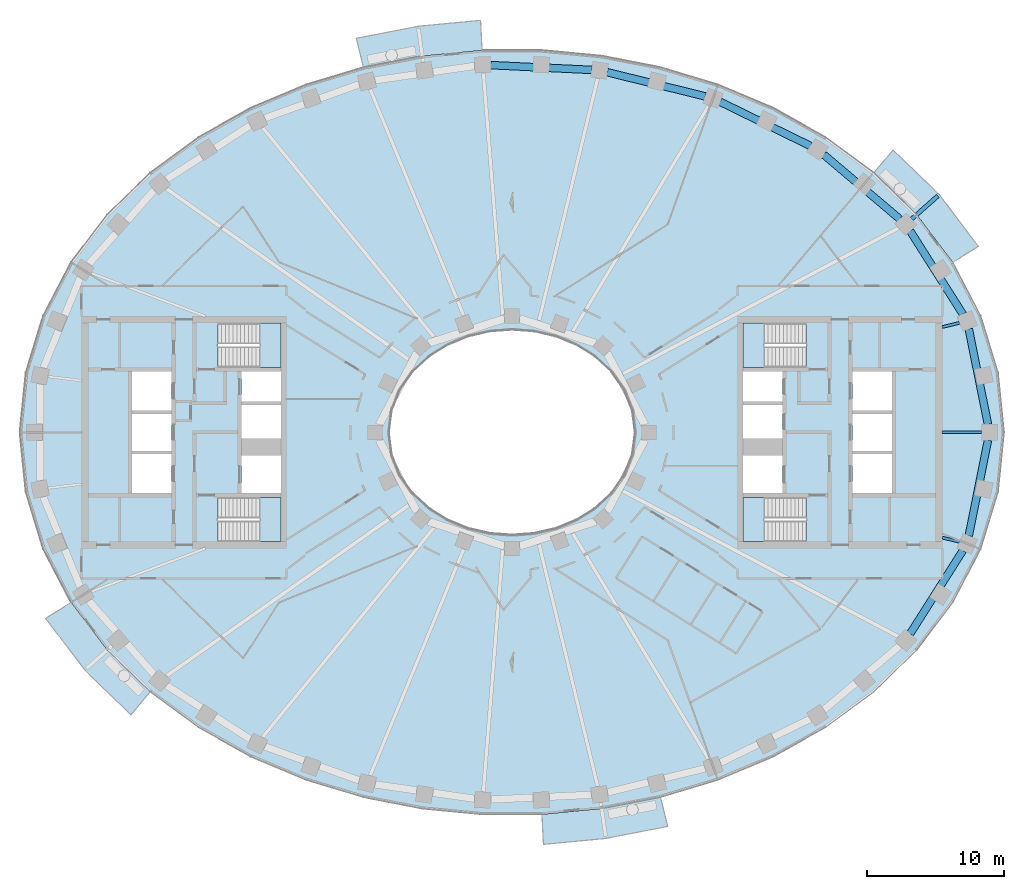
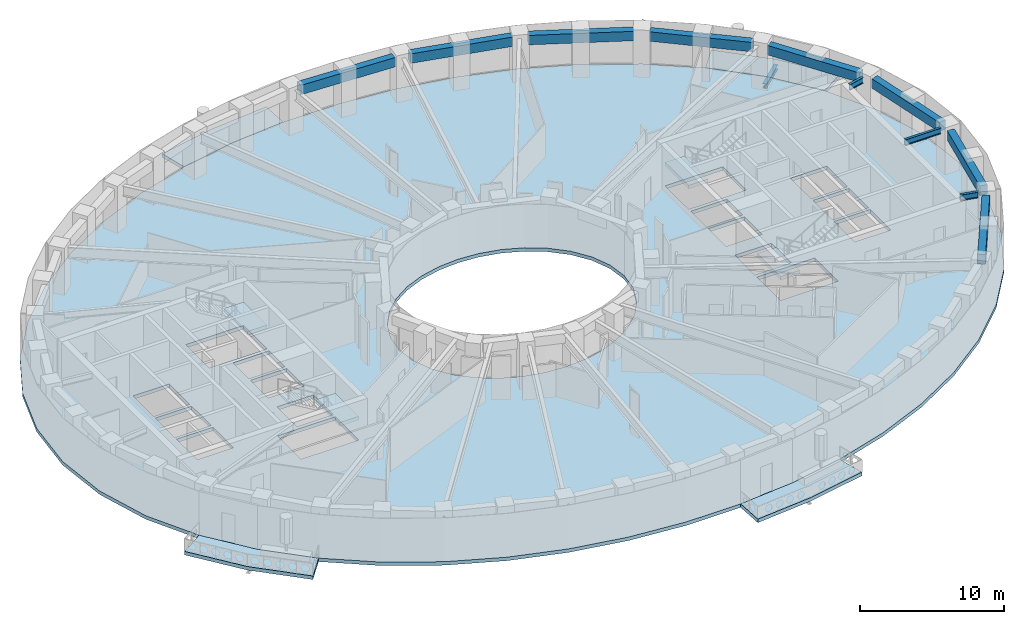
# One storey, part 2 of 16: 12 beams, 9 slabs, 4 elements without a shape of their own.
"""IFC4 building model written with IfcOpenShell, lengths in metres."""

import ifcopenshell
import ifcopenshell.guid

model = None  # the IFC model being written
_history = None  # IfcOwnerHistory: only IFC2X3 demands one
_inside = {}  # id of a spatial element -> (the spatial element, [elements in it])
_under = {}  # id of a project, library or spatial element -> (it, [spatial elements below it])
_declared = {}  # id of a project -> (the project, [libraries it declares])
_typed = {}  # id of a type object -> (the type object, [elements of that type])
_made_of = {}  # id of a material, layer set ... -> (it, [elements and type objects made of it])


def new_model(schema):
    """Start an empty IFC model of exactly this schema.

    Asked for "IFC4X3", IfcOpenShell would pick the latest addendum, in which some entities
    have other attributes; the version numbers below select the first issue.
    IFC2X3 requires an IfcOwnerHistory on every rooted entity: one is made here for all.
    """
    global model, _history
    if schema == "IFC4X3":
        model = ifcopenshell.file(schema_version=(4, 3, 0, 0))
    else:
        model = ifcopenshell.file(schema=schema)
    _inside.clear()
    _under.clear()
    _declared.clear()
    _typed.clear()
    _made_of.clear()
    _history = None
    if model.schema == "IFC2X3":
        org = make("IfcOrganization", Name="unknown")
        user = make(
            "IfcPersonAndOrganization",
            ThePerson=make("IfcPerson", FamilyName="unknown"),
            TheOrganization=org,
        )
        app = make(
            "IfcApplication",
            ApplicationDeveloper=org,
            Version="unknown",
            ApplicationFullName="unknown",
            ApplicationIdentifier="unknown",
        )
        _history = make(
            "IfcOwnerHistory",
            OwningUser=user,
            OwningApplication=app,
            ChangeAction="ADDED",
            CreationDate=0,
        )
    return model


def make(cls, **values):
    """One entity of the class cls with the attributes given. An attribute that is None is left unset."""
    return model.create_entity(
        cls, **{name: value for name, value in values.items() if value is not None}
    )


def rooted(cls, **values):
    """An entity with a GlobalId (a new one), such as an element, a storey or a relation."""
    return make(cls, GlobalId=ifcopenshell.guid.new(), OwnerHistory=_history, **values)


def si_unit(unit_type, name, prefix=None):
    """IfcSIUnit, for example si_unit("LENGTHUNIT", "METRE", prefix="MILLI")."""
    return make("IfcSIUnit", UnitType=unit_type, Prefix=prefix, Name=name)


def assignment(units):
    """IfcUnitAssignment: the units of a project."""
    return None if units is None else make("IfcUnitAssignment", Units=units)


def point(xyz):
    """IfcCartesianPoint."""
    return None if xyz is None else make("IfcCartesianPoint", Coordinates=xyz)


def direction(xyz):
    """IfcDirection."""
    return None if xyz is None else make("IfcDirection", DirectionRatios=xyz)


def frame(location, z_axis=None, x_axis=None):
    """IfcAxis2Placement3D, a coordinate frame: its origin and axes. An axis left out is left unset."""
    return make(
        "IfcAxis2Placement3D",
        Location=point(location),
        Axis=direction(z_axis),
        RefDirection=direction(x_axis),
    )


def frame_2d(location, x_axis=None):
    """IfcAxis2Placement2D, a coordinate frame in the plane: its origin and x axis."""
    return make(
        "IfcAxis2Placement2D", Location=point(location), RefDirection=direction(x_axis)
    )


def origin():
    """The frame at (0, 0, 0) with its axes left unset."""
    return frame((0.0, 0.0, 0.0))


def origin_2d():
    """The frame at (0, 0) in the plane with its x axis left unset."""
    return frame_2d((0.0, 0.0))


def place(relative_to, where):
    """IfcLocalPlacement: puts the frame where relative to a parent placement (None: the world)."""
    return make(
        "IfcLocalPlacement", PlacementRelTo=relative_to, RelativePlacement=where
    )


def context(
    kind, dimensions, precision=None, world=None, true_north=None, identifier=None
):
    """IfcGeometricRepresentationContext, for example the 3D "Model" context."""
    return make(
        "IfcGeometricRepresentationContext",
        ContextIdentifier=identifier,
        ContextType=kind,
        CoordinateSpaceDimension=dimensions,
        Precision=precision,
        WorldCoordinateSystem=world,
        TrueNorth=true_north,
    )


def subcontext(parent, identifier, kind, view, scale=None):
    """IfcGeometricRepresentationSubContext, for example "Body" below "Model"."""
    return make(
        "IfcGeometricRepresentationSubContext",
        ContextIdentifier=identifier,
        ContextType=kind,
        ParentContext=parent,
        TargetScale=scale,
        TargetView=view,
    )


def project(units=None, contexts=None):
    """IfcProject with its units and contexts."""
    return rooted(
        "IfcProject",
        Name="project",
        RepresentationContexts=contexts,
        UnitsInContext=assignment(units),
    )


def spatial(cls, under=None, at=None, **own):
    """A site, building, storey or space (cls), placed at a placement, below another one or the project."""
    s = rooted(cls, ObjectPlacement=at, **own)
    if under is not None:
        _under.setdefault(under.id(), (under, []))[1].append(s)
    return s


def polyline(points):
    """IfcPolyline through the points."""
    return make("IfcPolyline", Points=[point(p) for p in points])


def profile(cls, at=None, kind="AREA", **sizes):
    """A parametric profile (cls). Its sizes go by their IFC names, for example OverallWidth=200.0."""
    return make(cls, ProfileType=kind, Position=at, **sizes)


def rectangle(**sizes):
    """IfcRectangleProfileDef."""
    return profile("IfcRectangleProfileDef", **sizes)


def i_section(**sizes):
    """IfcIShapeProfileDef."""
    return profile("IfcIShapeProfileDef", **sizes)


def outline(outer, holes=None, kind="AREA"):
    """IfcArbitraryClosedProfileDef: a profile drawn as a closed curve; with holes, ...WithVoids."""
    if holes is None:
        return make("IfcArbitraryClosedProfileDef", ProfileType=kind, OuterCurve=outer)
    return make(
        "IfcArbitraryProfileDefWithVoids",
        ProfileType=kind,
        OuterCurve=outer,
        InnerCurves=holes,
    )


def extrude(swept, where, along, depth):
    """IfcExtrudedAreaSolid: the profile swept, set in the frame where, extruded along a direction by depth."""
    return make(
        "IfcExtrudedAreaSolid",
        SweptArea=swept,
        Position=where,
        ExtrudedDirection=direction(along),
        Depth=depth,
    )


def shape(context_of_items, identifier, shape_type, items):
    """IfcShapeRepresentation: the items that make up one representation, for example the "Body"."""
    return make(
        "IfcShapeRepresentation",
        ContextOfItems=context_of_items,
        RepresentationIdentifier=identifier,
        RepresentationType=shape_type,
        Items=items,
    )


def material(Name=None, Category=None):
    """IfcMaterial."""
    return make("IfcMaterial", Name=Name, Category=Category)


def layer(
    of_material, thickness, ventilated=None, Name=None, Category=None, Priority=None
):
    """IfcMaterialLayer: one layer of a wall or slab, of a material (None: an air gap)."""
    return make(
        "IfcMaterialLayer",
        Material=of_material,
        LayerThickness=thickness,
        IsVentilated=ventilated,
        Name=Name,
        Category=Category,
        Priority=Priority,
    )


def layer_set(layers, Name=None):
    """IfcMaterialLayerSet."""
    return make("IfcMaterialLayerSet", MaterialLayers=layers, LayerSetName=Name)


def material_profile(
    of_material, cross_section, Name=None, Category=None, Priority=None
):
    """IfcMaterialProfile: a cross section and its material."""
    return make(
        "IfcMaterialProfile",
        Name=Name,
        Material=of_material,
        Profile=cross_section,
        Priority=Priority,
        Category=Category,
    )


def profile_set(profiles, Name=None, composite=None):
    """IfcMaterialProfileSet."""
    return make(
        "IfcMaterialProfileSet",
        Name=Name,
        MaterialProfiles=profiles,
        CompositeProfile=composite,
    )


def made_of(thing, what):
    """Note that an element or type object is made of a material, layer set ...; save() writes the relation."""
    if what is not None:
        _made_of.setdefault(what.id(), (what, []))[1].append(thing)
    return thing


def type_object(cls, material=None, **own):
    """A type object (cls), such as IfcWallType, which elements share."""
    return made_of(rooted(cls, **own), material)


def element(
    cls,
    number,
    at=None,
    inside=None,
    cuts=None,
    type_object=None,
    material=None,
    context=None,
    identifier="Body",
    shape_type=None,
    held_by="IfcProductDefinitionShape",
    body=None,
    shapes=None,
    **own,
):
    """One element of the class cls, such as IfcWall. Its Tag is "e" and its number.

    at: its placement. inside: the storey or other place that contains it. cuts: it is an
    opening in that element (IfcRelVoidsElement). A single representation is given by context,
    identifier, shape_type and body (its items); several are given by shapes. held_by: the class
    of the entity that holds the representations. save() writes the other relations.
    """
    e = rooted(cls, Tag="e%d" % number, ObjectPlacement=at, **own)
    if body is not None:
        shapes = [shape(context, identifier, shape_type, body)]
    if shapes is not None:
        e.Representation = make(held_by, Representations=shapes)
    if inside is not None:
        _inside.setdefault(inside.id(), (inside, []))[1].append(e)
    if cuts is not None:
        rooted(
            "IfcRelVoidsElement", RelatingBuildingElement=cuts, RelatedOpeningElement=e
        )
    if type_object is not None:
        _typed.setdefault(type_object.id(), (type_object, []))[1].append(e)
    return made_of(e, material)


def aggregate(whole, parts):
    """IfcRelAggregates: a whole, such as a stair, and the parts it consists of."""
    return rooted("IfcRelAggregates", RelatingObject=whole, RelatedObjects=parts)


def save(model, path):
    """Write the relations noted so far, then the file.

    IfcRelAggregates (storeys below a building ...), IfcRelContainedInSpatialStructure (elements
    in a storey), IfcRelDefinesByType, IfcRelAssociatesMaterial and IfcRelDeclares: one each for
    every whole, place, type object, material and project.
    """
    for whole, parts in _under.values():
        aggregate(whole, parts)
    for where, things in _inside.values():
        rooted(
            "IfcRelContainedInSpatialStructure",
            RelatedElements=things,
            RelatingStructure=where,
        )
    for kind, things in _typed.values():
        rooted("IfcRelDefinesByType", RelatedObjects=things, RelatingType=kind)
    for what, things in _made_of.values():
        rooted("IfcRelAssociatesMaterial", RelatedObjects=things, RelatingMaterial=what)
    for by, libraries in _declared.values():
        rooted("IfcRelDeclares", RelatingContext=by, RelatedDefinitions=libraries)
    model.write(path)


model = new_model("IFC4")

# Units and contexts
model_context = context("Model", 3, precision=1e-05, world=origin(), true_north=direction((0.0, 1.0)))
body_context = subcontext(model_context, "Body", "Model", "MODEL_VIEW")
ifc_project = project(units=[si_unit("LENGTHUNIT", "METRE"), si_unit("AREAUNIT", "SQUARE_METRE"), si_unit("VOLUMEUNIT", "CUBIC_METRE"), si_unit("PLANEANGLEUNIT", "RADIAN"), si_unit("MASSUNIT", "GRAM", prefix="KILO")], contexts=[model_context])

# Site, building, storey
site_placement = place(None, origin())
site = spatial("IfcSite", under=ifc_project, at=site_placement, CompositionType="ELEMENT")
building_placement = place(site_placement, origin())
building = spatial("IfcBuilding", under=site, at=building_placement, Name="Noorbagh Ring Tower", CompositionType="ELEMENT")
storey_placement = place(building_placement, frame((0.0, 0.0, 162.0)))
storey = spatial("IfcBuildingStorey", under=building, at=storey_placement, Name="L37", CompositionType="ELEMENT", Elevation=162.0)

# Beams
ifc_material_1 = material(Name="Steel S355", Category="steel")
ifc_material_profile_1 = material_profile(ifc_material_1, i_section(OverallWidth=0.300048828125, OverallDepth=0.39990234375, WebThickness=0.013427734375, FlangeThickness=0.02392578125, FilletRadius=0.027099609375, at=origin_2d()), Name="HEB400")
ifc_profile_set_1 = profile_set([ifc_material_profile_1], Name="Steel S355")
beam_type_1 = type_object("IfcBeamType", Name="STR-BALCONY-BRACKET-HEB400", PredefinedType="BEAM", material=ifc_profile_set_1)
beam_1_placement = place(storey_placement, frame((29.253173828125, 15.61474609375, -0.5), z_axis=(0.749068405178, 0.662492659856, 0.0), x_axis=(-0.662492659856, 0.749068405178, 0.0)))
element("IfcBeam", 1, at=beam_1_placement, inside=storey, type_object=beam_type_1, Name="Balcony bracket beam BN01", PredefinedType="BEAM", context=body_context, shape_type="SweptSolid", body=[
    extrude(i_section(OverallWidth=0.300048828125, OverallDepth=0.39990234375, WebThickness=0.013427734375, FlangeThickness=0.02392578125, FilletRadius=0.027099609375, at=origin_2d()), origin(), (0.0, 0.0, 1.0), 2.529541015625),
])
ifc_material_2 = material(Name="Steel S355", Category="steel")
ifc_material_profile_2 = material_profile(ifc_material_2, i_section(OverallWidth=0.199951171875, OverallDepth=0.5, WebThickness=0.01025390625, FlangeThickness=0.01611328125, FilletRadius=0.02099609375, at=origin_2d()), Name="IPE500")
ifc_profile_set_2 = profile_set([ifc_material_profile_2], Name="Steel S355")
beam_type_2 = type_object("IfcBeamType", Name="STR-RAD-IPE500", PredefinedType="BEAM", material=ifc_profile_set_2)
beam_2_placement = place(storey_placement, frame((34.36474609375, 0.0, 3.449951171875), z_axis=(-1.0, 0.0, 0.0), x_axis=(0.0, -1.0, 0.0)))
element("IfcBeam", 2, at=beam_2_placement, inside=storey, type_object=beam_type_2, Name="L37/bm/RD01", PredefinedType="BEAM", context=body_context, shape_type="SweptSolid", body=[
    extrude(i_section(OverallWidth=0.199951171875, OverallDepth=0.5, WebThickness=0.01025390625, FlangeThickness=0.01611328125, FilletRadius=0.02099609375, at=origin_2d()), origin(), (0.0, 0.0, 1.0), 2.884765625),
])
for number, where, z_axis, x_axis, name in (
    (3, (32.7353515625, 8.010009765625, 3.449951171875), (-0.971331161348, -0.237730467116, 0.0), (0.237730467116, -0.971331161348, 0.0), "L37/bm/RD03"),
    (4, (32.7353515625, -8.010009765625, 3.449951171875), (-0.971331161348, 0.237730467116, 0.0), (-0.237730467116, -0.971331161348, 0.0), "L37/bm/RD45"),
):
    element("IfcBeam", number, at=place(storey_placement, frame(where, z_axis=z_axis, x_axis=x_axis)), inside=storey, type_object=beam_type_2, Name=name, PredefinedType="BEAM", context=body_context, shape_type="SweptSolid", body=[
        extrude(i_section(OverallWidth=0.199951171875, OverallDepth=0.5, WebThickness=0.01025390625, FlangeThickness=0.01611328125, FilletRadius=0.02099609375, at=origin_2d()), origin(), (0.0, 0.0, 1.0), 1.2919921875),
    ])
ifc_material_3 = material(Name="Concrete C40/50", Category="concrete")
ifc_material_profile_3 = material_profile(ifc_material_3, rectangle(XDim=0.550048828125, YDim=0.800048828125, at=origin_2d()), Name="RC550x800")
ifc_profile_set_3 = profile_set([ifc_material_profile_3], Name="Concrete C40/50")
beam_type_3 = type_object("IfcBeamType", Name="STR-SB-RC550x800-C40-50", PredefinedType="BEAM", material=ifc_profile_set_3)
beam_3_placement = place(storey_placement, frame((34.827880859375, 0.580322265625, 3.300048828125), z_axis=(-0.19720917592, 0.980361433826, 0.0), x_axis=(-0.980361433826, -0.19720917592, 0.0)))
element("IfcBeam", 5, at=beam_3_placement, inside=storey, type_object=beam_type_3, Name="L37/bm/SP01", PredefinedType="BEAM", context=body_context, shape_type="SweptSolid", body=[
    extrude(rectangle(XDim=0.550048828125, YDim=0.800048828125, at=origin_2d()), origin(), (0.0, 0.0, 1.0), 7.12939453125),
])
beam_4_placement = place(storey_placement, frame((32.98974609375, 8.647216796875, 3.300048828125), z_axis=(-0.535190716377, 0.844731257326, 0.0), x_axis=(-0.844731257326, -0.535190716377, 0.0)))
element("IfcBeam", 6, at=beam_4_placement, inside=storey, type_object=beam_type_3, Name="L37/bm/SP03", PredefinedType="BEAM", context=body_context, shape_type="SweptSolid", body=[
    extrude(rectangle(XDim=0.550048828125, YDim=0.800048828125, at=origin_2d()), origin(), (0.0, 0.0, 1.0), 7.205810546875),
])
beam_5_placement = place(storey_placement, frame((28.37158203125, 15.609375, 3.300048828125), z_axis=(-0.76303051661, 0.646362460792, 0.0), x_axis=(-0.646362460792, -0.76303051661, 0.0)))
element("IfcBeam", 7, at=beam_5_placement, inside=storey, type_object=beam_type_3, Name="L37/bm/SP05", PredefinedType="BEAM", context=body_context, shape_type="SweptSolid", body=[
    extrude(rectangle(XDim=0.550048828125, YDim=0.800048828125, at=origin_2d()), origin(), (0.0, 0.0, 1.0), 7.290771484375),
])
beam_6_placement = place(storey_placement, frame((21.837158203125, 20.95654296875, 3.300048828125), z_axis=(-0.898397175695, 0.439183918994, 0.0), x_axis=(-0.439183918994, -0.898397175695, 0.0)))
element("IfcBeam", 8, at=beam_6_placement, inside=storey, type_object=beam_type_3, Name="L37/bm/SP07", PredefinedType="BEAM", context=body_context, shape_type="SweptSolid", body=[
    extrude(rectangle(XDim=0.550048828125, YDim=0.800048828125, at=origin_2d()), origin(), (0.0, 0.0, 1.0), 7.35009765625),
])
beam_7_placement = place(storey_placement, frame((14.143310546875, 24.580810546875, 3.300048828125), z_axis=(-0.970832897369, 0.239757138341, 0.0), x_axis=(-0.239757138341, -0.970832897369, 0.0)))
element("IfcBeam", 9, at=beam_7_placement, inside=storey, type_object=beam_type_3, Name="L37/bm/SP09", PredefinedType="BEAM", context=body_context, shape_type="SweptSolid", body=[
    extrude(rectangle(XDim=0.550048828125, YDim=0.800048828125, at=origin_2d()), origin(), (0.0, 0.0, 1.0), 7.383544921875),
])
beam_8_placement = place(storey_placement, frame((5.8271484375, 26.5185546875, 3.300048828125), z_axis=(-0.9988682124, 0.047563581193, 0.0), x_axis=(-0.047563581193, -0.9988682124, 0.0)))
element("IfcBeam", 10, at=beam_8_placement, inside=storey, type_object=beam_type_3, Name="L37/bm/SP11", PredefinedType="BEAM", context=body_context, shape_type="SweptSolid", body=[
    extrude(rectangle(XDim=0.550048828125, YDim=0.800048828125, at=origin_2d()), origin(), (0.0, 0.0, 1.0), 7.396484375),
])
beam_9_placement = place(storey_placement, frame((29.13330078125, -14.734130859375, 3.300048828125), z_axis=(0.535190716377, 0.844731257326, 0.0), x_axis=(-0.844731257326, 0.535190716377, 0.0)))
element("IfcBeam", 11, at=beam_9_placement, inside=storey, type_object=beam_type_3, Name="L37/bm/SP43", PredefinedType="BEAM", context=body_context, shape_type="SweptSolid", body=[
    extrude(rectangle(XDim=0.550048828125, YDim=0.800048828125, at=origin_2d()), origin(), (0.0, 0.0, 1.0), 7.205810546875),
])
beam_10_placement = place(storey_placement, frame((33.421875, -7.56982421875, 3.300048828125), z_axis=(0.19720917592, 0.980361433826, 0.0), x_axis=(-0.980361433826, 0.19720917592, 0.0)))
element("IfcBeam", 12, at=beam_10_placement, inside=storey, type_object=beam_type_3, Name="L37/bm/SP45", PredefinedType="BEAM", context=body_context, shape_type="SweptSolid", body=[
    extrude(rectangle(XDim=0.550048828125, YDim=0.800048828125, at=origin_2d()), origin(), (0.0, 0.0, 1.0), 7.12939453125),
])

# Stair, slab
ifc_material_4 = material(Name="Concrete C40/50", Category="concrete")
stair_type = type_object("IfcStairType", Name="CORE-STAIR", PredefinedType="HALF_TURN_STAIR", material=ifc_material_4)
stair_1_placement = place(storey_placement, origin())
stair_1 = element("IfcStair", 13, at=stair_1_placement, inside=storey, type_object=stair_type, Name="L37 Exit stair ST1", PredefinedType="HALF_TURN_STAIR")
ifc_material_5 = material(Name="Concrete C40/50", Category="concrete")
ifc_layer_1 = layer(ifc_material_5, 0.300048828125)
ifc_layer_set_1 = layer_set([ifc_layer_1], Name="Concrete C40/50")
slab_type_1 = type_object("IfcSlabType", Name="CORE-STAIR-LANDING", PredefinedType="LANDING", material=ifc_layer_set_1)
slab_1_placement = place(storey_placement, frame((0.0, 0.0, 1.699951171875)))
slab_1 = element("IfcSlab", 14, at=slab_1_placement, type_object=slab_type_1, Name="ST1 landing 1", PredefinedType="LANDING", context=body_context, shape_type="SweptSolid", body=[
    extrude(outline(polyline([(-18.449951171875, 4.75), (-16.89990234375, 4.75), (-16.89990234375, 8.0), (-18.449951171875, 8.0), (-18.449951171875, 4.75)])), origin(), (0.0, 0.0, 1.0), 0.300048828125),
])
aggregate(stair_1, [slab_1])

stair_2_placement = place(storey_placement, origin())
stair_2 = element("IfcStair", 15, at=stair_2_placement, inside=storey, type_object=stair_type, Name="L37 Exit stair ST2", PredefinedType="HALF_TURN_STAIR")
slab_2_placement = place(storey_placement, frame((0.0, 0.0, 1.699951171875)))
slab_2 = element("IfcSlab", 16, at=slab_2_placement, type_object=slab_type_1, Name="ST2 landing 1", PredefinedType="LANDING", context=body_context, shape_type="SweptSolid", body=[
    extrude(outline(polyline([(-18.449951171875, -8.0), (-16.89990234375, -8.0), (-16.89990234375, -4.75), (-18.449951171875, -4.75), (-18.449951171875, -8.0)])), origin(), (0.0, 0.0, 1.0), 0.300048828125),
])
aggregate(stair_2, [slab_2])

stair_3_placement = place(storey_placement, origin())
stair_3 = element("IfcStair", 17, at=stair_3_placement, inside=storey, type_object=stair_type, Name="L37 Exit stair ST3", PredefinedType="HALF_TURN_STAIR")
slab_3_placement = place(storey_placement, frame((0.0, 0.0, 1.699951171875)))
slab_3 = element("IfcSlab", 18, at=slab_3_placement, type_object=slab_type_1, Name="ST3 landing 1", PredefinedType="LANDING", context=body_context, shape_type="SweptSolid", body=[
    extrude(outline(polyline([(18.449951171875, 8.0), (16.89990234375, 8.0), (16.89990234375, 4.75), (18.449951171875, 4.75), (18.449951171875, 8.0)])), origin(), (0.0, 0.0, 1.0), 0.300048828125),
])
aggregate(stair_3, [slab_3])

stair_4_placement = place(storey_placement, origin())
stair_4 = element("IfcStair", 19, at=stair_4_placement, inside=storey, type_object=stair_type, Name="L37 Exit stair ST4", PredefinedType="HALF_TURN_STAIR")
slab_4_placement = place(storey_placement, frame((0.0, 0.0, 1.699951171875)))
slab_4 = element("IfcSlab", 20, at=slab_4_placement, type_object=slab_type_1, Name="ST4 landing 1", PredefinedType="LANDING", context=body_context, shape_type="SweptSolid", body=[
    extrude(outline(polyline([(18.449951171875, -4.75), (16.89990234375, -4.75), (16.89990234375, -8.0), (18.449951171875, -8.0), (18.449951171875, -4.75)])), origin(), (0.0, 0.0, 1.0), 0.300048828125),
])
aggregate(stair_4, [slab_4])

# Slabs
ifc_material_6 = material(Name="Concrete C40/50", Category="concrete")
ifc_layer_2 = layer(ifc_material_6, 0.300048828125)
ifc_layer_set_2 = layer_set([ifc_layer_2], Name="Concrete C40/50")
slab_type_2 = type_object("IfcSlabType", Name="ENV-BALCONY DECK 300", PredefinedType="FLOOR", material=ifc_layer_set_2)
slab_5_placement = place(storey_placement, frame((0.0, 0.0, -0.300048828125)))
element("IfcSlab", 21, at=slab_5_placement, inside=storey, type_object=slab_type_2, Name="Tree balcony deck BN01", PredefinedType="FLOOR", context=body_context, shape_type="SweptSolid", body=[
    extrude(outline(polyline([(34.120361328125, 13.615966796875), (31.26025390625, 17.389892578125), (27.888671875, 20.665771484375), (26.463134765625, 18.983154296875), (29.607666015625, 15.92822265625), (32.255126953125, 12.434814453125), (34.120361328125, 13.615966796875)])), origin(), (0.0, 0.0, 1.0), 0.300048828125),
])
slab_6_placement = place(storey_placement, frame((0.0, 0.0, -0.300048828125)))
element("IfcSlab", 22, at=slab_6_placement, inside=storey, type_object=slab_type_2, Name="Tree balcony deck BN04", PredefinedType="FLOOR", context=body_context, shape_type="SweptSolid", body=[
    extrude(outline(polyline([(-2.2978515625, 30.14794921875), (-6.874755859375, 29.711181640625), (-11.3935546875, 28.832763671875), (-10.865234375, 26.6943359375), (-6.5595703125, 27.53125), (-2.193115234375, 27.947998046875), (-2.2978515625, 30.14794921875)])), origin(), (0.0, 0.0, 1.0), 0.300048828125),
])
slab_7_placement = place(storey_placement, frame((0.0, 0.0, -0.300048828125)))
element("IfcSlab", 23, at=slab_7_placement, inside=storey, type_object=slab_type_2, Name="Tree balcony deck BS01", PredefinedType="FLOOR", context=body_context, shape_type="SweptSolid", body=[
    extrude(outline(polyline([(-34.120361328125, -13.615966796875), (-31.26025390625, -17.389892578125), (-27.888671875, -20.665771484375), (-26.463134765625, -18.983154296875), (-29.607666015625, -15.92822265625), (-32.255126953125, -12.434814453125), (-34.120361328125, -13.615966796875)])), origin(), (0.0, 0.0, 1.0), 0.300048828125),
])
slab_8_placement = place(storey_placement, frame((0.0, 0.0, -0.300048828125)))
element("IfcSlab", 24, at=slab_8_placement, inside=storey, type_object=slab_type_2, Name="Tree balcony deck BS04", PredefinedType="FLOOR", context=body_context, shape_type="SweptSolid", body=[
    extrude(outline(polyline([(2.2978515625, -30.14794921875), (6.874755859375, -29.711181640625), (11.3935546875, -28.832763671875), (10.865234375, -26.6943359375), (6.5595703125, -27.53125), (2.193115234375, -27.947998046875), (2.2978515625, -30.14794921875)])), origin(), (0.0, 0.0, 1.0), 0.300048828125),
])
ifc_material_7 = material(Name="Concrete C40/50", Category="concrete")
ifc_layer_3 = layer(ifc_material_7, 0.300048828125)
ifc_layer_set_3 = layer_set([ifc_layer_3], Name="Concrete C40/50")
slab_type_3 = type_object("IfcSlabType", Name="STR-FLOOR-DECK-300", PredefinedType="FLOOR", material=ifc_layer_set_3)
slab_9_placement = place(storey_placement, frame((0.0, 0.0, -0.300048828125)))
element("IfcSlab", 25, at=slab_9_placement, inside=storey, type_object=slab_type_3, Name="L37/slab/1", PredefinedType="FLOOR", context=body_context, shape_type="SweptSolid", body=[
    extrude(outline(polyline([(36.0, 0.0), (35.56103515625, 4.358642578125), (34.281005859375, 8.548828125), (32.255126953125, 12.434814453125), (29.607666015625, 15.92822265625), (26.463134765625, 18.983154296875), (22.9326171875, 21.583740234375), (19.108154296875, 23.730224609375), (15.0654296875, 25.430419921875), (10.865234375, 26.6943359375), (6.5595703125, 27.53125), (2.193115234375, 27.947998046875), (-2.193115234375, 27.947998046875), (-6.5595703125, 27.53125), (-10.865234375, 26.6943359375), (-15.0654296875, 25.430419921875), (-19.108154296875, 23.730224609375), (-22.9326171875, 21.583740234375), (-26.463134765625, 18.983154296875), (-29.607666015625, 15.92822265625), (-32.255126953125, 12.434814453125), (-34.281005859375, 8.548828125), (-35.56103515625, 4.358642578125), (-36.0, 0.0), (-35.56103515625, -4.358642578125), (-34.281005859375, -8.548828125), (-32.255126953125, -12.434814453125), (-29.607666015625, -15.92822265625), (-26.463134765625, -18.983154296875), (-22.9326171875, -21.583740234375), (-19.108154296875, -23.730224609375), (-15.0654296875, -25.430419921875), (-10.865234375, -26.6943359375), (-6.5595703125, -27.53125), (-2.193115234375, -27.947998046875), (2.193115234375, -27.947998046875), (6.5595703125, -27.53125), (10.865234375, -26.6943359375), (15.0654296875, -25.430419921875), (19.108154296875, -23.730224609375), (22.9326171875, -21.583740234375), (26.463134765625, -18.983154296875), (29.607666015625, -15.92822265625), (32.255126953125, -12.434814453125), (34.281005859375, -8.548828125), (35.56103515625, -4.358642578125), (36.0, 0.0)]), holes=[polyline([(24.89990234375, 4.449951171875), (27.800048828125, 4.449951171875), (27.800048828125, 1.60009765625), (24.89990234375, 1.60009765625), (24.89990234375, 4.449951171875)]), polyline([(24.89990234375, 1.35009765625), (27.800048828125, 1.35009765625), (27.800048828125, -1.35009765625), (24.89990234375, -1.35009765625), (24.89990234375, 1.35009765625)]), polyline([(24.89990234375, -1.60009765625), (27.800048828125, -1.60009765625), (27.800048828125, -4.449951171875), (24.89990234375, -4.449951171875), (24.89990234375, -1.60009765625)]), polyline([(21.529541015625, -8.0), (16.89990234375, -8.0), (16.89990234375, -4.75), (21.529541015625, -4.75), (21.529541015625, -8.0)]), polyline([(16.89990234375, 4.75), (16.89990234375, 8.0), (21.529541015625, 8.0), (21.529541015625, 4.75), (16.89990234375, 4.75)]), polyline([(19.800048828125, 4.449951171875), (19.800048828125, 2.25), (16.89990234375, 2.25), (16.89990234375, 4.449951171875), (19.800048828125, 4.449951171875)]), polyline([(16.89990234375, 2.0), (19.800048828125, 2.0), (19.800048828125, -0.449951171875), (16.89990234375, -0.449951171875), (16.89990234375, 2.0)]), polyline([(16.89990234375, -1.699951171875), (19.800048828125, -1.699951171875), (19.800048828125, -4.449951171875), (16.89990234375, -4.449951171875), (16.89990234375, -1.699951171875)]), polyline([(4.697509765625, -6.3974609375), (3.196533203125, -7.010986328125), (1.6171875, -7.3779296875), (0.0, -7.5), (-1.6171875, -7.3779296875), (-3.196533203125, -7.010986328125), (-4.697509765625, -6.3974609375), (-6.071044921875, -5.53662109375), (-7.2587890625, -4.43408203125), (-8.1904296875, -3.10888671875), (-8.79150390625, -1.605224609375), (-9.0, 0.0), (-8.79150390625, 1.605224609375), (-8.1904296875, 3.10888671875), (-7.2587890625, 4.43408203125), (-6.071044921875, 5.53662109375), (-4.697509765625, 6.3974609375), (-3.196533203125, 7.010986328125), (-1.6171875, 7.3779296875), (0.0, 7.5), (1.6171875, 7.3779296875), (3.196533203125, 7.010986328125), (4.697509765625, 6.3974609375), (6.071044921875, 5.53662109375), (7.2587890625, 4.43408203125), (8.1904296875, 3.10888671875), (8.79150390625, 1.605224609375), (9.0, 0.0), (8.79150390625, -1.605224609375), (8.1904296875, -3.10888671875), (7.2587890625, -4.43408203125), (6.071044921875, -5.53662109375), (4.697509765625, -6.3974609375)]), polyline([(-16.89990234375, 2.25), (-19.800048828125, 2.25), (-19.800048828125, 4.449951171875), (-16.89990234375, 4.449951171875), (-16.89990234375, 2.25)]), polyline([(-16.89990234375, -0.449951171875), (-19.800048828125, -0.449951171875), (-19.800048828125, 2.0), (-16.89990234375, 2.0), (-16.89990234375, -0.449951171875)]), polyline([(-16.89990234375, -4.449951171875), (-19.800048828125, -4.449951171875), (-19.800048828125, -1.699951171875), (-16.89990234375, -1.699951171875), (-16.89990234375, -4.449951171875)]), polyline([(-21.529541015625, 8.0), (-16.89990234375, 8.0), (-16.89990234375, 4.75), (-21.529541015625, 4.75), (-21.529541015625, 8.0)]), polyline([(-21.529541015625, -4.75), (-16.89990234375, -4.75), (-16.89990234375, -8.0), (-21.529541015625, -8.0), (-21.529541015625, -4.75)]), polyline([(-24.89990234375, -4.449951171875), (-27.800048828125, -4.449951171875), (-27.800048828125, -1.60009765625), (-24.89990234375, -1.60009765625), (-24.89990234375, -4.449951171875)]), polyline([(-24.89990234375, 1.60009765625), (-27.800048828125, 1.60009765625), (-27.800048828125, 4.449951171875), (-24.89990234375, 4.449951171875), (-24.89990234375, 1.60009765625)]), polyline([(-24.89990234375, -1.35009765625), (-27.800048828125, -1.35009765625), (-27.800048828125, 1.35009765625), (-24.89990234375, 1.35009765625), (-24.89990234375, -1.35009765625)])]), origin(), (0.0, 0.0, 1.0), 0.300048828125),
])

save(model, "model.ifc")
